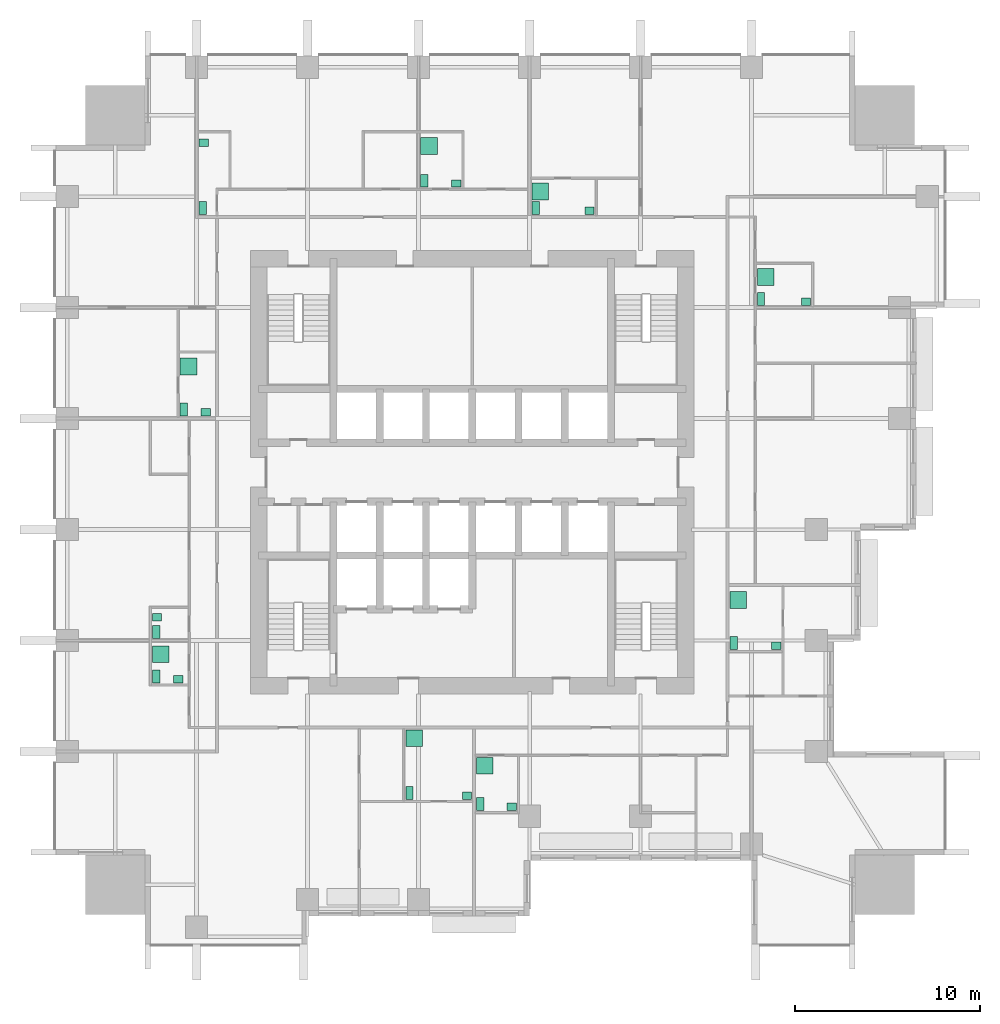
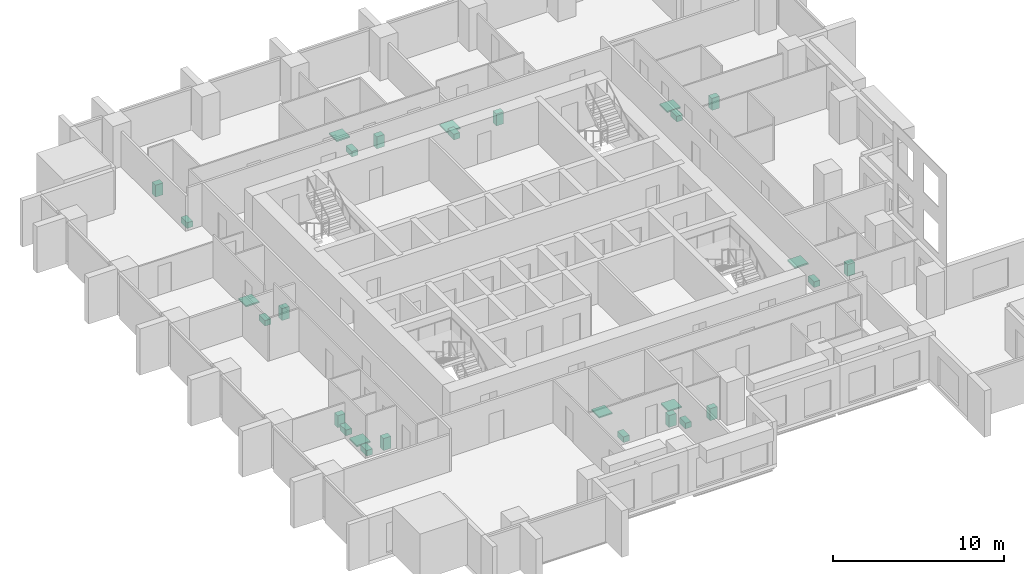
# One storey, part 10 of 10: 28 sanitary terminals.
"""IFC4 building model written with IfcOpenShell, lengths in metres."""

from ifc_helpers import new_model, si_unit, direction, frame, origin, origin_2d, place, context, subcontext, project, spatial, rectangle, extrude, element, save


model = new_model("IFC4")

# Units and contexts
model_context = context("Model", 3, precision=1e-05, world=origin(), true_north=direction((0.0, 1.0)))
body_context = subcontext(model_context, "Body", "Model", "MODEL_VIEW")
ifc_project = project(units=[si_unit("LENGTHUNIT", "METRE"), si_unit("AREAUNIT", "SQUARE_METRE"), si_unit("VOLUMEUNIT", "CUBIC_METRE"), si_unit("PLANEANGLEUNIT", "RADIAN"), si_unit("MASSUNIT", "GRAM", prefix="KILO")], contexts=[model_context])

# Site, building, storey
site_placement = place(None, origin())
site = spatial("IfcSite", under=ifc_project, at=site_placement, CompositionType="ELEMENT")
building_placement = place(site_placement, origin())
building = spatial("IfcBuilding", under=site, at=building_placement, Name="Amberfall Residences", CompositionType="ELEMENT")
storey_placement = place(building_placement, frame((0.0, 0.0, 40.0)))
storey = spatial("IfcBuildingStorey", under=building, at=storey_placement, Name="L10", CompositionType="ELEMENT", Elevation=40.0)

# Sanitary terminals
sanitary_terminal_1_placement = place(storey_placement, frame((71.110107421875, 28.159912109375, 0.0), z_axis=(0.0, 0.0, 1.0), x_axis=(1.0, 0.0, 0.0)))
element("IfcSanitaryTerminal", 1, at=sanitary_terminal_1_placement, inside=storey, Name="Water closet 1001", PredefinedType="TOILETPAN", context=body_context, shape_type="SweptSolid", body=[
    extrude(rectangle(XDim=0.39990234375, YDim=0.699951171875, at=origin_2d()), origin(), (0.0, 0.0, 1.0), 0.39990234375),
])
sanitary_terminal_2_placement = place(storey_placement, frame((74.215087890625, 28.010009765625, 0.0), z_axis=(0.0, 0.0, 1.0), x_axis=(1.0, 0.0, 0.0)))
element("IfcSanitaryTerminal", 2, at=sanitary_terminal_2_placement, inside=storey, Name="Basin 1001", PredefinedType="WASHHANDBASIN", context=body_context, shape_type="SweptSolid", body=[
    extrude(rectangle(XDim=0.5, YDim=0.39990234375, at=origin_2d()), origin(), (0.0, 0.0, 1.0), 0.85009765625),
])
sanitary_terminal_3_placement = place(storey_placement, frame((71.360107421875, 31.114990234375, 0.0), z_axis=(0.0, 0.0, 1.0), x_axis=(1.0, 0.0, 0.0)))
element("IfcSanitaryTerminal", 3, at=sanitary_terminal_3_placement, inside=storey, Name="Shower tray 1001", PredefinedType="SHOWER", context=body_context, shape_type="SweptSolid", body=[
    extrude(rectangle(XDim=0.89990234375, YDim=0.89990234375, at=origin_2d()), origin(), (0.0, 0.0, 1.0), 0.10009765625),
])
sanitary_terminal_4_placement = place(storey_placement, frame((74.93505859375, 27.56005859375, 0.0), z_axis=(0.0, 0.0, 1.0), x_axis=(1.0, 0.0, 0.0)))
element("IfcSanitaryTerminal", 4, at=sanitary_terminal_4_placement, inside=storey, Name="Water closet 1002", PredefinedType="TOILETPAN", context=body_context, shape_type="SweptSolid", body=[
    extrude(rectangle(XDim=0.39990234375, YDim=0.699951171875, at=origin_2d()), origin(), (0.0, 0.0, 1.0), 0.39990234375),
])
sanitary_terminal_5_placement = place(storey_placement, frame((76.639892578125, 27.409912109375, 0.0), z_axis=(0.0, 0.0, 1.0), x_axis=(1.0, 0.0, 0.0)))
element("IfcSanitaryTerminal", 5, at=sanitary_terminal_5_placement, inside=storey, Name="Basin 1002", PredefinedType="WASHHANDBASIN", context=body_context, shape_type="SweptSolid", body=[
    extrude(rectangle(XDim=0.5, YDim=0.39990234375, at=origin_2d()), origin(), (0.0, 0.0, 1.0), 0.85009765625),
])
sanitary_terminal_6_placement = place(storey_placement, frame((75.18505859375, 29.639892578125, 0.0), z_axis=(0.0, 0.0, 1.0), x_axis=(1.0, 0.0, 0.0)))
element("IfcSanitaryTerminal", 6, at=sanitary_terminal_6_placement, inside=storey, Name="Shower tray 1002", PredefinedType="SHOWER", context=body_context, shape_type="SweptSolid", body=[
    extrude(rectangle(XDim=0.89990234375, YDim=0.89990234375, at=origin_2d()), origin(), (0.0, 0.0, 1.0), 0.10009765625),
])
sanitary_terminal_7_placement = place(storey_placement, frame((88.635009765625, 36.260009765625, 0.0), z_axis=(0.0, 0.0, 1.0), x_axis=(1.0, 0.0, 0.0)))
element("IfcSanitaryTerminal", 7, at=sanitary_terminal_7_placement, inside=storey, Name="Water closet 1003", PredefinedType="TOILETPAN", context=body_context, shape_type="SweptSolid", body=[
    extrude(rectangle(XDim=0.39990234375, YDim=0.699951171875, at=origin_2d()), origin(), (0.0, 0.0, 1.0), 0.39990234375),
])
sanitary_terminal_8_placement = place(storey_placement, frame((90.93994140625, 36.110107421875, 0.0), z_axis=(0.0, 0.0, 1.0), x_axis=(1.0, 0.0, 0.0)))
element("IfcSanitaryTerminal", 8, at=sanitary_terminal_8_placement, inside=storey, Name="Basin 1003", PredefinedType="WASHHANDBASIN", context=body_context, shape_type="SweptSolid", body=[
    extrude(rectangle(XDim=0.5, YDim=0.39990234375, at=origin_2d()), origin(), (0.0, 0.0, 1.0), 0.85009765625),
])
sanitary_terminal_9_placement = place(storey_placement, frame((88.885009765625, 38.591796875, 0.0), z_axis=(0.0, 0.0, 1.0), x_axis=(1.0, 0.0, 0.0)))
element("IfcSanitaryTerminal", 9, at=sanitary_terminal_9_placement, inside=storey, Name="Shower tray 1003", PredefinedType="SHOWER", context=body_context, shape_type="SweptSolid", body=[
    extrude(rectangle(XDim=0.89990234375, YDim=0.89990234375, at=origin_2d()), origin(), (0.0, 0.0, 1.0), 0.10009765625),
])
sanitary_terminal_10_placement = place(storey_placement, frame((90.110107421875, 54.860107421875, 0.0), z_axis=(0.0, 0.0, 1.0), x_axis=(1.0, 0.0, 0.0)))
element("IfcSanitaryTerminal", 10, at=sanitary_terminal_10_placement, inside=storey, Name="Water closet 1004", PredefinedType="TOILETPAN", context=body_context, shape_type="SweptSolid", body=[
    extrude(rectangle(XDim=0.39990234375, YDim=0.699951171875, at=origin_2d()), origin(), (0.0, 0.0, 1.0), 0.39990234375),
])
sanitary_terminal_11_placement = place(storey_placement, frame((92.5400390625, 54.7099609375, 0.0), z_axis=(0.0, 0.0, 1.0), x_axis=(1.0, 0.0, 0.0)))
element("IfcSanitaryTerminal", 11, at=sanitary_terminal_11_placement, inside=storey, Name="Basin 1004", PredefinedType="WASHHANDBASIN", context=body_context, shape_type="SweptSolid", body=[
    extrude(rectangle(XDim=0.5, YDim=0.39990234375, at=origin_2d()), origin(), (0.0, 0.0, 1.0), 0.85009765625),
])
sanitary_terminal_12_placement = place(storey_placement, frame((90.360107421875, 56.05712890625, 0.0), z_axis=(0.0, 0.0, 1.0), x_axis=(1.0, 0.0, 0.0)))
element("IfcSanitaryTerminal", 12, at=sanitary_terminal_12_placement, inside=storey, Name="Shower tray 1004", PredefinedType="SHOWER", context=body_context, shape_type="SweptSolid", body=[
    extrude(rectangle(XDim=0.89990234375, YDim=0.89990234375, at=origin_2d()), origin(), (0.0, 0.0, 1.0), 0.10009765625),
])
sanitary_terminal_13_placement = place(storey_placement, frame((59.93505859375, 59.784912109375, 0.0), z_axis=(0.0, 0.0, 1.0), x_axis=(1.0, 0.0, 0.0)))
element("IfcSanitaryTerminal", 13, at=sanitary_terminal_13_placement, inside=storey, Name="Water closet 1005 1", PredefinedType="TOILETPAN", context=body_context, shape_type="SweptSolid", body=[
    extrude(rectangle(XDim=0.39990234375, YDim=0.699951171875, at=origin_2d()), origin(), (0.0, 0.0, 1.0), 0.39990234375),
])
sanitary_terminal_14_placement = place(storey_placement, frame((59.985107421875, 63.3076171875, 0.0), z_axis=(0.0, 0.0, 1.0), x_axis=(1.0, 0.0, 0.0)))
element("IfcSanitaryTerminal", 14, at=sanitary_terminal_14_placement, inside=storey, Name="Basin 1005 1", PredefinedType="WASHHANDBASIN", context=body_context, shape_type="SweptSolid", body=[
    extrude(rectangle(XDim=0.5, YDim=0.39990234375, at=origin_2d()), origin(), (0.0, 0.0, 1.0), 0.85009765625),
])
sanitary_terminal_15_placement = place(storey_placement, frame((71.909912109375, 61.260009765625, 0.0), z_axis=(0.0, 0.0, 1.0), x_axis=(1.0, 0.0, 0.0)))
element("IfcSanitaryTerminal", 15, at=sanitary_terminal_15_placement, inside=storey, Name="Water closet 1005", PredefinedType="TOILETPAN", context=body_context, shape_type="SweptSolid", body=[
    extrude(rectangle(XDim=0.39990234375, YDim=0.699951171875, at=origin_2d()), origin(), (0.0, 0.0, 1.0), 0.39990234375),
])
sanitary_terminal_16_placement = place(storey_placement, frame((73.639892578125, 61.110107421875, 0.0), z_axis=(0.0, 0.0, 1.0), x_axis=(1.0, 0.0, 0.0)))
element("IfcSanitaryTerminal", 16, at=sanitary_terminal_16_placement, inside=storey, Name="Basin 1005", PredefinedType="WASHHANDBASIN", context=body_context, shape_type="SweptSolid", body=[
    extrude(rectangle(XDim=0.5, YDim=0.39990234375, at=origin_2d()), origin(), (0.0, 0.0, 1.0), 0.85009765625),
])
sanitary_terminal_17_placement = place(storey_placement, frame((72.159912109375, 63.14208984375, 0.0), z_axis=(0.0, 0.0, 1.0), x_axis=(1.0, 0.0, 0.0)))
element("IfcSanitaryTerminal", 17, at=sanitary_terminal_17_placement, inside=storey, Name="Shower tray 1005", PredefinedType="SHOWER", context=body_context, shape_type="SweptSolid", body=[
    extrude(rectangle(XDim=0.89990234375, YDim=0.89990234375, at=origin_2d()), origin(), (0.0, 0.0, 1.0), 0.10009765625),
])
sanitary_terminal_18_placement = place(storey_placement, frame((77.93505859375, 59.784912109375, 0.0), z_axis=(0.0, 0.0, 1.0), x_axis=(1.0, 0.0, 0.0)))
element("IfcSanitaryTerminal", 18, at=sanitary_terminal_18_placement, inside=storey, Name="Water closet 1006", PredefinedType="TOILETPAN", context=body_context, shape_type="SweptSolid", body=[
    extrude(rectangle(XDim=0.39990234375, YDim=0.699951171875, at=origin_2d()), origin(), (0.0, 0.0, 1.0), 0.39990234375),
])
sanitary_terminal_19_placement = place(storey_placement, frame((80.840087890625, 59.635009765625, 0.0), z_axis=(0.0, 0.0, 1.0), x_axis=(1.0, 0.0, 0.0)))
element("IfcSanitaryTerminal", 19, at=sanitary_terminal_19_placement, inside=storey, Name="Basin 1006", PredefinedType="WASHHANDBASIN", context=body_context, shape_type="SweptSolid", body=[
    extrude(rectangle(XDim=0.5, YDim=0.39990234375, at=origin_2d()), origin(), (0.0, 0.0, 1.0), 0.85009765625),
])
sanitary_terminal_20_placement = place(storey_placement, frame((78.18505859375, 60.680908203125, 0.0), z_axis=(0.0, 0.0, 1.0), x_axis=(1.0, 0.0, 0.0)))
element("IfcSanitaryTerminal", 20, at=sanitary_terminal_20_placement, inside=storey, Name="Shower tray 1006", PredefinedType="SHOWER", context=body_context, shape_type="SweptSolid", body=[
    extrude(rectangle(XDim=0.89990234375, YDim=0.89990234375, at=origin_2d()), origin(), (0.0, 0.0, 1.0), 0.10009765625),
])
sanitary_terminal_21_placement = place(storey_placement, frame((57.409912109375, 36.860107421875, 0.0), z_axis=(0.0, 0.0, 1.0), x_axis=(1.0, 0.0, 0.0)))
element("IfcSanitaryTerminal", 21, at=sanitary_terminal_21_placement, inside=storey, Name="Water closet 1007 1", PredefinedType="TOILETPAN", context=body_context, shape_type="SweptSolid", body=[
    extrude(rectangle(XDim=0.39990234375, YDim=0.699951171875, at=origin_2d()), origin(), (0.0, 0.0, 1.0), 0.39990234375),
])
sanitary_terminal_22_placement = place(storey_placement, frame((57.4599609375, 37.654052734375, 0.0), z_axis=(0.0, 0.0, 1.0), x_axis=(1.0, 0.0, 0.0)))
element("IfcSanitaryTerminal", 22, at=sanitary_terminal_22_placement, inside=storey, Name="Basin 1007 1", PredefinedType="WASHHANDBASIN", context=body_context, shape_type="SweptSolid", body=[
    extrude(rectangle(XDim=0.5, YDim=0.39990234375, at=origin_2d()), origin(), (0.0, 0.0, 1.0), 0.85009765625),
])
sanitary_terminal_23_placement = place(storey_placement, frame((57.409912109375, 34.4599609375, 0.0), z_axis=(0.0, 0.0, 1.0), x_axis=(1.0, 0.0, 0.0)))
element("IfcSanitaryTerminal", 23, at=sanitary_terminal_23_placement, inside=storey, Name="Water closet 1007", PredefinedType="TOILETPAN", context=body_context, shape_type="SweptSolid", body=[
    extrude(rectangle(XDim=0.39990234375, YDim=0.699951171875, at=origin_2d()), origin(), (0.0, 0.0, 1.0), 0.39990234375),
])
sanitary_terminal_24_placement = place(storey_placement, frame((58.610107421875, 34.31005859375, 0.0), z_axis=(0.0, 0.0, 1.0), x_axis=(1.0, 0.0, 0.0)))
element("IfcSanitaryTerminal", 24, at=sanitary_terminal_24_placement, inside=storey, Name="Basin 1007", PredefinedType="WASHHANDBASIN", context=body_context, shape_type="SweptSolid", body=[
    extrude(rectangle(XDim=0.5, YDim=0.39990234375, at=origin_2d()), origin(), (0.0, 0.0, 1.0), 0.85009765625),
])
sanitary_terminal_25_placement = place(storey_placement, frame((57.659912109375, 35.6572265625, 0.0), z_axis=(0.0, 0.0, 1.0), x_axis=(1.0, 0.0, 0.0)))
element("IfcSanitaryTerminal", 25, at=sanitary_terminal_25_placement, inside=storey, Name="Shower tray 1007", PredefinedType="SHOWER", context=body_context, shape_type="SweptSolid", body=[
    extrude(rectangle(XDim=0.89990234375, YDim=0.89990234375, at=origin_2d()), origin(), (0.0, 0.0, 1.0), 0.10009765625),
])
sanitary_terminal_26_placement = place(storey_placement, frame((58.909912109375, 48.885009765625, 0.0), z_axis=(0.0, 0.0, 1.0), x_axis=(1.0, 0.0, 0.0)))
element("IfcSanitaryTerminal", 26, at=sanitary_terminal_26_placement, inside=storey, Name="Water closet 1008", PredefinedType="TOILETPAN", context=body_context, shape_type="SweptSolid", body=[
    extrude(rectangle(XDim=0.39990234375, YDim=0.699951171875, at=origin_2d()), origin(), (0.0, 0.0, 1.0), 0.39990234375),
])
sanitary_terminal_27_placement = place(storey_placement, frame((60.089111328125, 48.735107421875, 0.0), z_axis=(0.0, 0.0, 1.0), x_axis=(1.0, 0.0, 0.0)))
element("IfcSanitaryTerminal", 27, at=sanitary_terminal_27_placement, inside=storey, Name="Basin 1008", PredefinedType="WASHHANDBASIN", context=body_context, shape_type="SweptSolid", body=[
    extrude(rectangle(XDim=0.5, YDim=0.39990234375, at=origin_2d()), origin(), (0.0, 0.0, 1.0), 0.85009765625),
])
sanitary_terminal_28_placement = place(storey_placement, frame((59.159912109375, 51.216796875, 0.0), z_axis=(0.0, 0.0, 1.0), x_axis=(1.0, 0.0, 0.0)))
element("IfcSanitaryTerminal", 28, at=sanitary_terminal_28_placement, inside=storey, Name="Shower tray 1008", PredefinedType="SHOWER", context=body_context, shape_type="SweptSolid", body=[
    extrude(rectangle(XDim=0.89990234375, YDim=0.89990234375, at=origin_2d()), origin(), (0.0, 0.0, 1.0), 0.10009765625),
])

save(model, "model.ifc")
